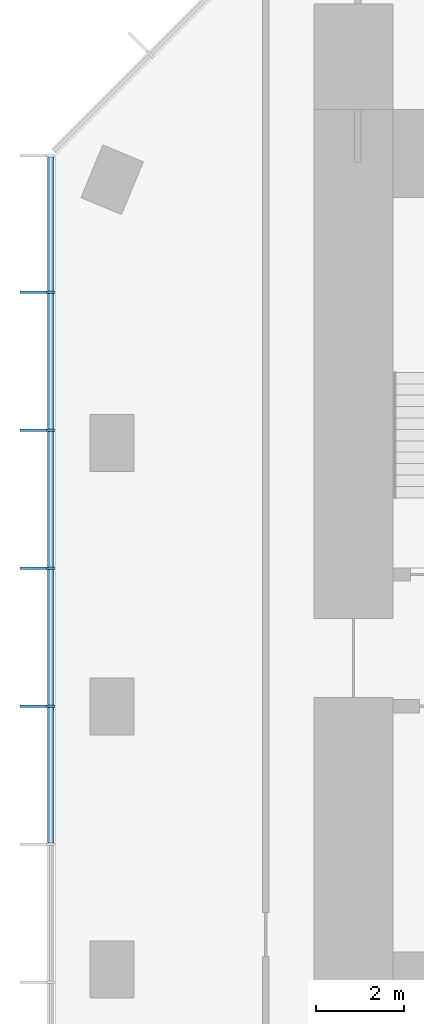
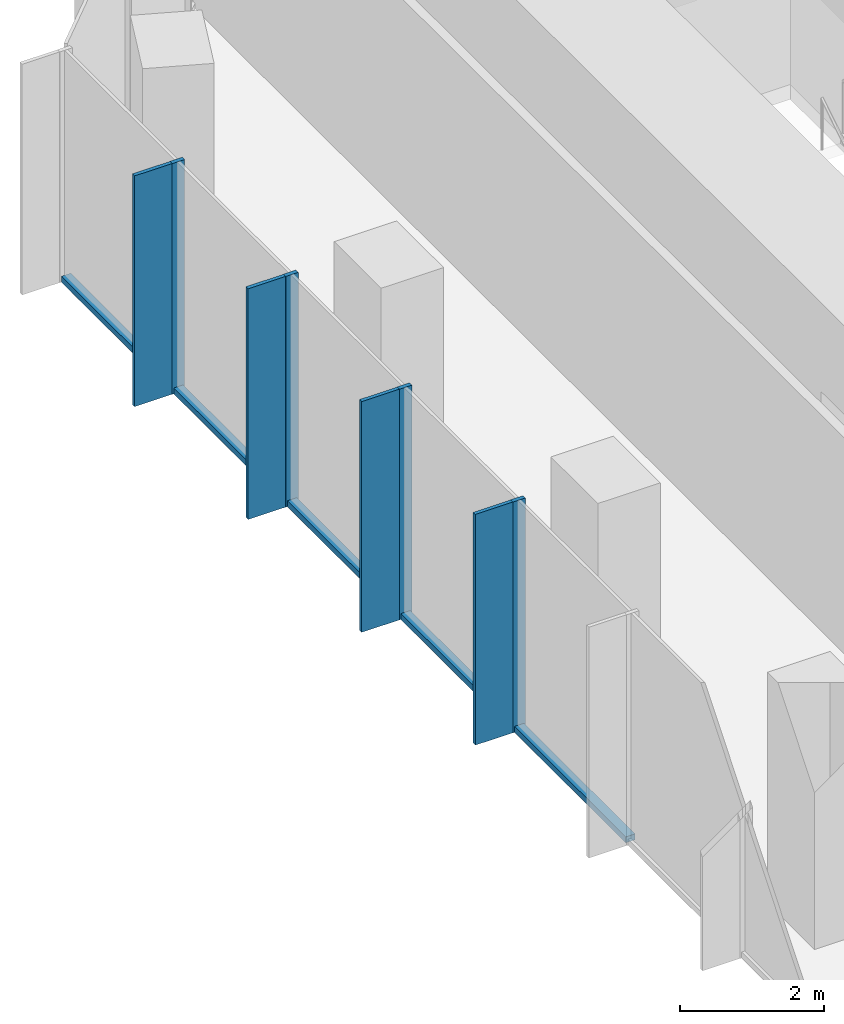
# One storey, part 3 of 11: 13 members, 1 element without a shape of its own.
"""IFC4 building model written with IfcOpenShell, lengths in metres."""

from ifc_helpers import new_model, si_unit, direction, frame, origin, origin_2d, place, context, subcontext, project, spatial, rectangle, extrude, material, layer, layer_set, material_profile, profile_set, type_object, element, aggregate, save


model = new_model("IFC4")

# Units and contexts
model_context = context("Model", 3, precision=1e-05, world=origin(), true_north=direction((0.0, 1.0)))
body_context = subcontext(model_context, "Body", "Model", "MODEL_VIEW")
ifc_project = project(units=[si_unit("LENGTHUNIT", "METRE"), si_unit("AREAUNIT", "SQUARE_METRE"), si_unit("VOLUMEUNIT", "CUBIC_METRE"), si_unit("PLANEANGLEUNIT", "RADIAN"), si_unit("MASSUNIT", "GRAM", prefix="KILO")], contexts=[model_context])

# Site, building, storey
site_placement = place(None, origin())
site = spatial("IfcSite", under=ifc_project, at=site_placement, CompositionType="ELEMENT")
building_placement = place(site_placement, origin())
building = spatial("IfcBuilding", under=site, at=building_placement, Name="Highveld Stack Headquarters", CompositionType="ELEMENT")
storey_placement = place(building_placement, frame((0.0, 0.0, 276.199951171875)))
storey = spatial("IfcBuildingStorey", under=building, at=storey_placement, Name="L68", CompositionType="ELEMENT", Elevation=276.199951171875)

# Curtain wall, members
ifc_material_1 = material(Name="Aluminium bronze anodised", Category="aluminium")
ifc_layer = layer(ifc_material_1, 0.199951171875)
ifc_layer_set = layer_set([ifc_layer], Name="Aluminium bronze anodised")
curtain_wall_type = type_object("IfcCurtainWallType", Name="CW5 EXECUTIVE UNITISED CURTAIN WALL", PredefinedType="NOTDEFINED", material=ifc_layer_set)
curtain_wall_placement = place(storey_placement, origin())
curtain_wall = element("IfcCurtainWall", 1, at=curtain_wall_placement, inside=storey, type_object=curtain_wall_type, Name="Curtain wall CW5 L68 W", PredefinedType="NOTDEFINED")
ifc_material_2 = material(Name="Aluminium bronze anodised", Category="aluminium")
ifc_material_profile_1 = material_profile(ifc_material_2, rectangle(XDim=0.60009765625, YDim=0.06005859375, at=origin_2d()), Name="FIN 600x60")
ifc_profile_set_1 = profile_set([ifc_material_profile_1], Name="Aluminium bronze anodised")
member_type_1 = type_object("IfcMemberType", Name="CW5 BRONZE FIN 600x60", PredefinedType="USERDEFINED", material=ifc_profile_set_1)
member_1_placement = place(storey_placement, frame((-13.800048828125, 9.434814453125, 0.0), z_axis=(0.0, 0.0, 1.0), x_axis=(1.0, 0.0, 0.0)))
member_1 = element("IfcMember", 2, at=member_1_placement, type_object=member_type_1, Name="CW5 fin L68 2", ObjectType="FIN", PredefinedType="USERDEFINED", context=body_context, shape_type="SweptSolid", body=[
    extrude(rectangle(XDim=0.60009765625, YDim=0.06005859375, at=origin_2d()), origin(), (0.0, 0.0, 1.0), 3.900146484375),
])
member_2_placement = place(storey_placement, frame((-13.800048828125, 6.2900390625, 0.0), z_axis=(0.0, 0.0, 1.0), x_axis=(1.0, 0.0, 0.0)))
member_2 = element("IfcMember", 3, at=member_2_placement, type_object=member_type_1, Name="CW5 fin L68 3", ObjectType="FIN", PredefinedType="USERDEFINED", context=body_context, shape_type="SweptSolid", body=[
    extrude(rectangle(XDim=0.60009765625, YDim=0.06005859375, at=origin_2d()), origin(), (0.0, 0.0, 1.0), 3.900146484375),
])
member_3_placement = place(storey_placement, frame((-13.800048828125, 3.14501953125, 0.0), z_axis=(0.0, 0.0, 1.0), x_axis=(1.0, 0.0, 0.0)))
member_3 = element("IfcMember", 4, at=member_3_placement, type_object=member_type_1, Name="CW5 fin L68 4", ObjectType="FIN", PredefinedType="USERDEFINED", context=body_context, shape_type="SweptSolid", body=[
    extrude(rectangle(XDim=0.60009765625, YDim=0.06005859375, at=origin_2d()), origin(), (0.0, 0.0, 1.0), 3.900146484375),
])
member_4_placement = place(storey_placement, frame((-13.800048828125, 0.0, 0.0), z_axis=(0.0, 0.0, 1.0), x_axis=(1.0, 0.0, 0.0)))
member_4 = element("IfcMember", 5, at=member_4_placement, type_object=member_type_1, Name="CW5 fin L68 5", ObjectType="FIN", PredefinedType="USERDEFINED", context=body_context, shape_type="SweptSolid", body=[
    extrude(rectangle(XDim=0.60009765625, YDim=0.06005859375, at=origin_2d()), origin(), (0.0, 0.0, 1.0), 3.900146484375),
])
ifc_material_3 = material(Name="Aluminium bronze anodised", Category="aluminium")
ifc_material_profile_2 = material_profile(ifc_material_3, rectangle(XDim=0.199951171875, YDim=0.06494140625, at=origin_2d()), Name="CW5 MULLION 65x200")
ifc_profile_set_2 = profile_set([ifc_material_profile_2], Name="Aluminium bronze anodised")
member_type_2 = type_object("IfcMemberType", Name="CW5 MULLION 65x200", PredefinedType="MULLION", material=ifc_profile_set_2)
member_5_placement = place(storey_placement, frame((-13.39990234375, 9.434814453125, 0.0), z_axis=(0.0, 0.0, 1.0), x_axis=(1.0, 0.0, 0.0)))
member_5 = element("IfcMember", 6, at=member_5_placement, type_object=member_type_2, Name="CW5 mullion L68 2", PredefinedType="MULLION", context=body_context, shape_type="SweptSolid", body=[
    extrude(rectangle(XDim=0.199951171875, YDim=0.06494140625, at=origin_2d()), origin(), (0.0, 0.0, 1.0), 3.900146484375),
])
member_6_placement = place(storey_placement, frame((-13.39990234375, 6.2900390625, 0.0), z_axis=(0.0, 0.0, 1.0), x_axis=(1.0, 0.0, 0.0)))
member_6 = element("IfcMember", 7, at=member_6_placement, type_object=member_type_2, Name="CW5 mullion L68 3", PredefinedType="MULLION", context=body_context, shape_type="SweptSolid", body=[
    extrude(rectangle(XDim=0.199951171875, YDim=0.06494140625, at=origin_2d()), origin(), (0.0, 0.0, 1.0), 3.900146484375),
])
member_7_placement = place(storey_placement, frame((-13.39990234375, 3.14501953125, 0.0), z_axis=(0.0, 0.0, 1.0), x_axis=(1.0, 0.0, 0.0)))
member_7 = element("IfcMember", 8, at=member_7_placement, type_object=member_type_2, Name="CW5 mullion L68 4", PredefinedType="MULLION", context=body_context, shape_type="SweptSolid", body=[
    extrude(rectangle(XDim=0.199951171875, YDim=0.06494140625, at=origin_2d()), origin(), (0.0, 0.0, 1.0), 3.900146484375),
])
member_8_placement = place(storey_placement, frame((-13.39990234375, 0.0, 0.0), z_axis=(0.0, 0.0, 1.0), x_axis=(1.0, 0.0, 0.0)))
member_8 = element("IfcMember", 9, at=member_8_placement, type_object=member_type_2, Name="CW5 mullion L68 5", PredefinedType="MULLION", context=body_context, shape_type="SweptSolid", body=[
    extrude(rectangle(XDim=0.199951171875, YDim=0.06494140625, at=origin_2d()), origin(), (0.0, 0.0, 1.0), 3.900146484375),
])
ifc_material_4 = material(Name="Aluminium bronze anodised", Category="aluminium")
ifc_material_profile_3 = material_profile(ifc_material_4, rectangle(XDim=0.14990234375, YDim=0.10009765625, at=origin_2d()), Name="CW5 TRANSOM 150x100")
ifc_profile_set_3 = profile_set([ifc_material_profile_3], Name="Aluminium bronze anodised")
member_type_3 = type_object("IfcMemberType", Name="CW5 STACK TRANSOM 150x100", PredefinedType="USERDEFINED", material=ifc_profile_set_3)
member_9_placement = place(storey_placement, frame((-13.39990234375, 12.514892578125, 0.050048828125), z_axis=(0.0, -1.0, 0.0), x_axis=(1.0, 0.0, 0.0)))
member_9 = element("IfcMember", 10, at=member_9_placement, type_object=member_type_3, Name="CW5 transom L68 1.1", ObjectType="TRANSOM", PredefinedType="USERDEFINED", context=body_context, shape_type="SweptSolid", body=[
    extrude(rectangle(XDim=0.14990234375, YDim=0.10009765625, at=origin_2d()), origin(), (0.0, 0.0, 1.0), 3.047607421875),
])
member_10_placement = place(storey_placement, frame((-13.39990234375, 9.40234375, 0.050048828125), z_axis=(0.0, -1.0, 0.0), x_axis=(1.0, 0.0, 0.0)))
member_10 = element("IfcMember", 11, at=member_10_placement, type_object=member_type_3, Name="CW5 transom L68 2.1", ObjectType="TRANSOM", PredefinedType="USERDEFINED", context=body_context, shape_type="SweptSolid", body=[
    extrude(rectangle(XDim=0.14990234375, YDim=0.10009765625, at=origin_2d()), origin(), (0.0, 0.0, 1.0), 3.079833984375),
])
member_11_placement = place(storey_placement, frame((-13.39990234375, 6.257568359375, 0.050048828125), z_axis=(0.0, -1.0, 0.0), x_axis=(1.0, 0.0, 0.0)))
member_11 = element("IfcMember", 12, at=member_11_placement, type_object=member_type_3, Name="CW5 transom L68 3.1", ObjectType="TRANSOM", PredefinedType="USERDEFINED", context=body_context, shape_type="SweptSolid", body=[
    extrude(rectangle(XDim=0.14990234375, YDim=0.10009765625, at=origin_2d()), origin(), (0.0, 0.0, 1.0), 3.080078125),
])
member_12_placement = place(storey_placement, frame((-13.39990234375, 3.112548828125, 0.050048828125), z_axis=(0.0, -1.0, 0.0), x_axis=(1.0, 0.0, 0.0)))
member_12 = element("IfcMember", 13, at=member_12_placement, type_object=member_type_3, Name="CW5 transom L68 4.1", ObjectType="TRANSOM", PredefinedType="USERDEFINED", context=body_context, shape_type="SweptSolid", body=[
    extrude(rectangle(XDim=0.14990234375, YDim=0.10009765625, at=origin_2d()), origin(), (0.0, 0.0, 1.0), 3.080078125),
])
member_13_placement = place(storey_placement, frame((-13.39990234375, -0.032470703125, 0.050048828125), z_axis=(0.0, -1.0, 0.0), x_axis=(1.0, 0.0, 0.0)))
member_13 = element("IfcMember", 14, at=member_13_placement, type_object=member_type_3, Name="CW5 transom L68 5.1", ObjectType="TRANSOM", PredefinedType="USERDEFINED", context=body_context, shape_type="SweptSolid", body=[
    extrude(rectangle(XDim=0.14990234375, YDim=0.10009765625, at=origin_2d()), origin(), (0.0, 0.0, 1.0), 3.080078125),
])
aggregate(curtain_wall, [member_5, member_1, member_6, member_2, member_7, member_3, member_8, member_4, member_9, member_10, member_11, member_12, member_13])

save(model, "model.ifc")
